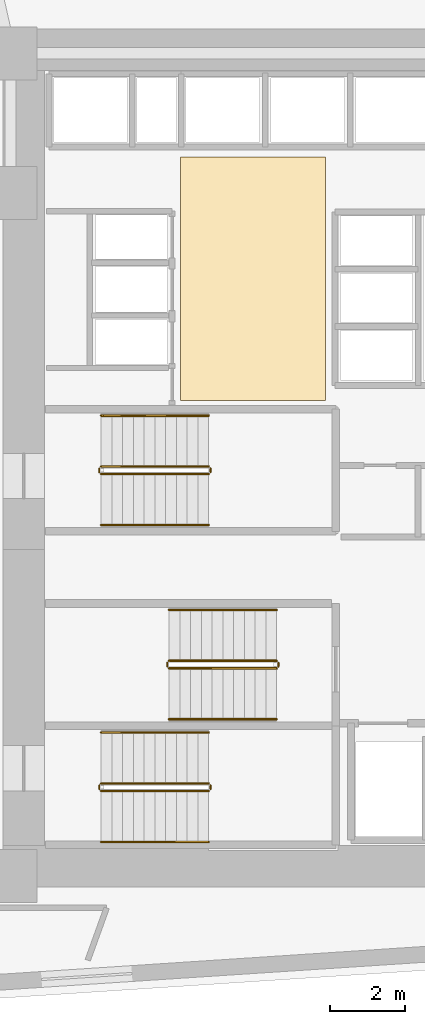
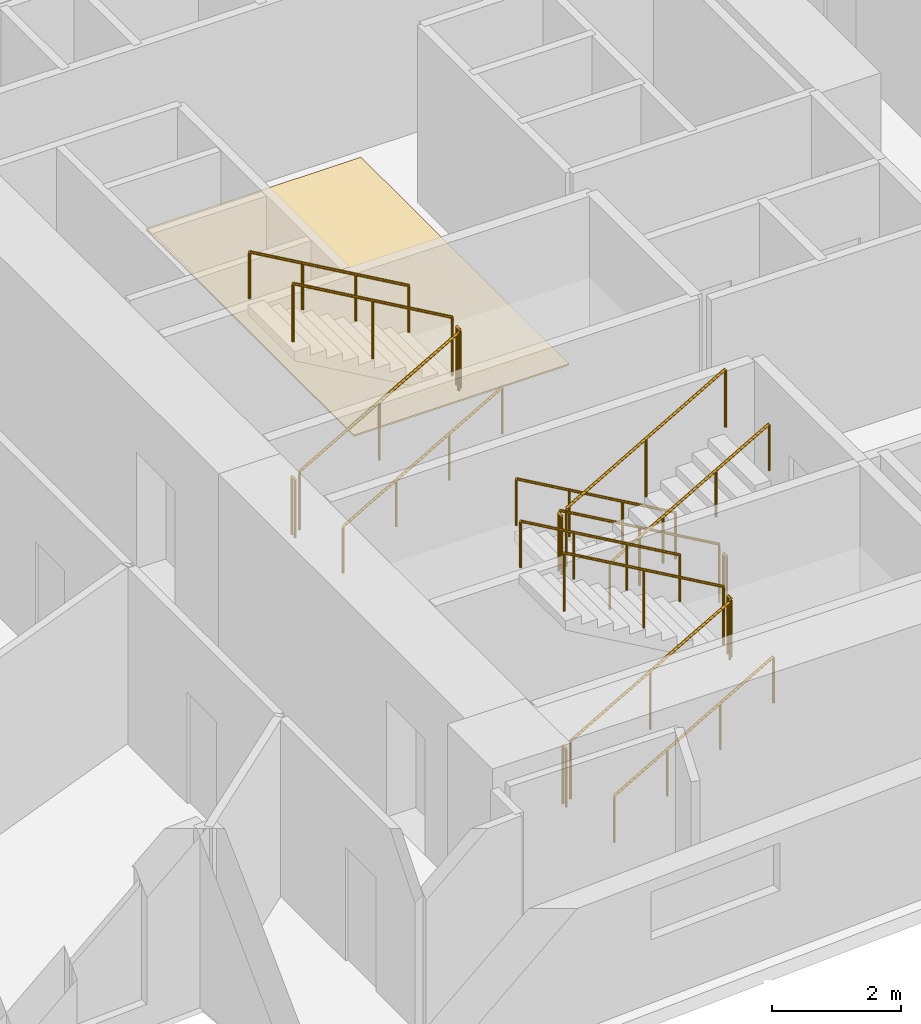
# One storey, part 15 of 16: 18 railings, 1 covering.
"""IFC4 building model written with IfcOpenShell, lengths in metres."""

from ifc_helpers import new_model, si_unit, direction, frame, origin, origin_2d, place, context, subcontext, project, spatial, polyline, circle, outline, extrude, material, layer, layer_set, type_object, element, save


model = new_model("IFC4")

# Units and contexts
model_context = context("Model", 3, precision=1e-05, world=origin(), true_north=direction((0.0, 1.0)))
body_context = subcontext(model_context, "Body", "Model", "MODEL_VIEW")
ifc_project = project(units=[si_unit("LENGTHUNIT", "METRE"), si_unit("AREAUNIT", "SQUARE_METRE"), si_unit("VOLUMEUNIT", "CUBIC_METRE"), si_unit("PLANEANGLEUNIT", "RADIAN"), si_unit("MASSUNIT", "GRAM", prefix="KILO")], contexts=[model_context])

# Site, building, storey
site_placement = place(None, origin())
site = spatial("IfcSite", under=ifc_project, at=site_placement, CompositionType="ELEMENT")
building_placement = place(site_placement, origin())
building = spatial("IfcBuilding", under=site, at=building_placement, Name="Narakoshi Arena Tower", CompositionType="ELEMENT")
storey_placement = place(building_placement, frame((0.0, 0.0, 66.89990234375)))
storey = spatial("IfcBuildingStorey", under=building, at=storey_placement, Name="L17", CompositionType="ELEMENT", Elevation=66.89990234375)

# Covering
ifc_material_1 = material(Name="Honed granite stone paving", Category="masonry")
ifc_layer = layer(ifc_material_1, 0.030029296875)
ifc_layer_set = layer_set([ifc_layer], Name="Honed granite stone paving")
covering_type = type_object("IfcCoveringType", Name="COV-FLR-ST30", PredefinedType="FLOORING", material=ifc_layer_set)
covering_placement = place(storey_placement, origin())
element("IfcCovering", 1, at=covering_placement, inside=storey, type_object=covering_type, Name="L17 Lift Lobby Granite Flooring", PredefinedType="FLOORING", context=body_context, shape_type="SweptSolid", body=[
    extrude(outline(polyline([(76.5, 47.300048828125), (80.35009765625, 47.300048828125), (80.35009765625, 53.75), (76.5, 53.75), (76.5, 47.300048828125)])), origin(), (0.0, 0.0, 1.0), 0.030029296875),
])

# Railings
ifc_material_2 = material(Name="Clear low-iron laminated structural glass", Category="glass")
railing_type_1 = type_object("IfcRailingType", Name="RL-BAL-1100", PredefinedType="BALUSTRADE", material=ifc_material_2)
railing_1_placement = place(storey_placement, frame((74.39990234375, 36.949951171875, 0.163818359375)))
element("IfcRailing", 2, at=railing_1_placement, inside=storey, type_object=railing_type_1, Name="L17 ST1 stair guard 1", PredefinedType="BALUSTRADE", context=body_context, shape_type="SweptSolid", body=[
    extrude(circle(Radius=0.02392578125, at=origin_2d()), frame((0.0, 0.0, 1.09619140625), z_axis=(0.867244780686, 0.0, 0.497882004468), x_axis=(0.0, 1.0, 0.0)), (0.0, 0.0, 1.0), 3.286376953125),
    extrude(circle(Radius=0.02099609375, at=origin_2d()), origin(), (0.0, 0.0, 1.0), 1.072021484375),
    extrude(circle(Radius=0.02099609375, at=origin_2d()), frame((1.425048828125, 0.0, 0.818115234375)), (0.0, 0.0, 1.0), 1.072021484375),
    extrude(circle(Radius=0.02099609375, at=origin_2d()), frame((2.85009765625, 0.0, 1.63623046875)), (0.0, 0.0, 1.0), 1.072021484375),
])
railing_2_placement = place(storey_placement, frame((77.300048828125, 37.0, 1.800048828125)))
element("IfcRailing", 3, at=railing_2_placement, inside=storey, type_object=railing_type_1, Name="L17 ST1 stair guard 2", PredefinedType="BALUSTRADE", context=body_context, shape_type="SweptSolid", body=[
    extrude(circle(Radius=0.02392578125, at=origin_2d()), frame((0.0, 0.0, 1.09619140625), z_axis=(0.0, 1.0, 0.0), x_axis=(-1.0, 0.0, 0.0)), (0.0, 0.0, 1.0), 0.10009765625),
    extrude(circle(Radius=0.02099609375, at=origin_2d()), origin(), (0.0, 0.0, 1.0), 1.072021484375),
    extrude(circle(Radius=0.02099609375, at=origin_2d()), frame((0.0, 0.10009765625, 0.0)), (0.0, 0.0, 1.0), 1.072021484375),
])
railing_3_placement = place(storey_placement, frame((77.25, 37.14990234375, 1.963623046875)))
element("IfcRailing", 4, at=railing_3_placement, inside=storey, type_object=railing_type_1, Name="L17 ST1 stair guard 3", PredefinedType="BALUSTRADE", context=body_context, shape_type="SweptSolid", body=[
    extrude(circle(Radius=0.02392578125, at=origin_2d()), frame((0.0, 0.0, 1.09619140625), z_axis=(-0.86721270334, 0.0, 0.497937874806), x_axis=(0.0, -1.0, 0.0)), (0.0, 0.0, 1.0), 3.28662109375),
    extrude(circle(Radius=0.02099609375, at=origin_2d()), origin(), (0.0, 0.0, 1.0), 1.072021484375),
    extrude(circle(Radius=0.02099609375, at=origin_2d()), frame((-1.425048828125, 0.0, 0.818359375)), (0.0, 0.0, 1.0), 1.072021484375),
    extrude(circle(Radius=0.02099609375, at=origin_2d()), frame((-2.85009765625, 0.0, 1.636474609375)), (0.0, 0.0, 1.0), 1.072021484375),
])
railing_4_placement = place(storey_placement, frame((74.35009765625, 37.0, 0.0)))
element("IfcRailing", 5, at=railing_4_placement, inside=storey, type_object=railing_type_1, Name="L17 ST1 stair guard 4", PredefinedType="BALUSTRADE", context=body_context, shape_type="SweptSolid", body=[
    extrude(circle(Radius=0.02392578125, at=origin_2d()), frame((0.0, 0.0, 1.09619140625), z_axis=(0.0, 1.0, 0.0), x_axis=(-1.0, 0.0, 0.0)), (0.0, 0.0, 1.0), 0.10009765625),
    extrude(circle(Radius=0.02099609375, at=origin_2d()), origin(), (0.0, 0.0, 1.0), 1.072021484375),
    extrude(circle(Radius=0.02099609375, at=origin_2d()), frame((0.0, 0.10009765625, 0.0)), (0.0, 0.0, 1.0), 1.072021484375),
])
railing_5_placement = place(storey_placement, frame((79.050048828125, 40.39990234375, 0.163818359375)))
element("IfcRailing", 6, at=railing_5_placement, inside=storey, type_object=railing_type_1, Name="L17 ST2 stair guard 1", PredefinedType="BALUSTRADE", context=body_context, shape_type="SweptSolid", body=[
    extrude(circle(Radius=0.02392578125, at=origin_2d()), frame((0.0, 0.0, 1.09619140625), z_axis=(-0.867244780686, 0.0, 0.497882004468), x_axis=(0.0, -1.0, 0.0)), (0.0, 0.0, 1.0), 3.286376953125),
    extrude(circle(Radius=0.02099609375, at=origin_2d()), origin(), (0.0, 0.0, 1.0), 1.072021484375),
    extrude(circle(Radius=0.02099609375, at=origin_2d()), frame((-1.425048828125, 0.0, 0.818115234375)), (0.0, 0.0, 1.0), 1.072021484375),
    extrude(circle(Radius=0.02099609375, at=origin_2d()), frame((-2.85009765625, 0.0, 1.63623046875)), (0.0, 0.0, 1.0), 1.072021484375),
])
railing_6_placement = place(storey_placement, frame((76.14990234375, 40.35009765625, 1.800048828125)))
element("IfcRailing", 7, at=railing_6_placement, inside=storey, type_object=railing_type_1, Name="L17 ST2 stair guard 2", PredefinedType="BALUSTRADE", context=body_context, shape_type="SweptSolid", body=[
    extrude(circle(Radius=0.02392578125, at=origin_2d()), frame((0.0, 0.0, 1.09619140625), z_axis=(0.0, -1.0, 0.0), x_axis=(1.0, 0.0, 0.0)), (0.0, 0.0, 1.0), 0.10009765625),
    extrude(circle(Radius=0.02099609375, at=origin_2d()), origin(), (0.0, 0.0, 1.0), 1.072021484375),
    extrude(circle(Radius=0.02099609375, at=origin_2d()), frame((0.0, -0.10009765625, 0.0)), (0.0, 0.0, 1.0), 1.072021484375),
])
railing_7_placement = place(storey_placement, frame((76.199951171875, 40.199951171875, 1.963623046875)))
element("IfcRailing", 8, at=railing_7_placement, inside=storey, type_object=railing_type_1, Name="L17 ST2 stair guard 3", PredefinedType="BALUSTRADE", context=body_context, shape_type="SweptSolid", body=[
    extrude(circle(Radius=0.02392578125, at=origin_2d()), frame((0.0, 0.0, 1.09619140625), z_axis=(0.86721270334, 0.0, 0.497937874806), x_axis=(0.0, 1.0, 0.0)), (0.0, 0.0, 1.0), 3.28662109375),
    extrude(circle(Radius=0.02099609375, at=origin_2d()), origin(), (0.0, 0.0, 1.0), 1.072021484375),
    extrude(circle(Radius=0.02099609375, at=origin_2d()), frame((1.425048828125, 0.0, 0.818359375)), (0.0, 0.0, 1.0), 1.072021484375),
    extrude(circle(Radius=0.02099609375, at=origin_2d()), frame((2.85009765625, 0.0, 1.636474609375)), (0.0, 0.0, 1.0), 1.072021484375),
])
railing_8_placement = place(storey_placement, frame((79.10009765625, 40.35009765625, 0.0)))
element("IfcRailing", 9, at=railing_8_placement, inside=storey, type_object=railing_type_1, Name="L17 ST2 stair guard 4", PredefinedType="BALUSTRADE", context=body_context, shape_type="SweptSolid", body=[
    extrude(circle(Radius=0.02392578125, at=origin_2d()), frame((0.0, 0.0, 1.09619140625), z_axis=(0.0, -1.0, 0.0), x_axis=(1.0, 0.0, 0.0)), (0.0, 0.0, 1.0), 0.10009765625),
    extrude(circle(Radius=0.02099609375, at=origin_2d()), origin(), (0.0, 0.0, 1.0), 1.072021484375),
    extrude(circle(Radius=0.02099609375, at=origin_2d()), frame((0.0, -0.10009765625, 0.0)), (0.0, 0.0, 1.0), 1.072021484375),
])
railing_9_placement = place(storey_placement, frame((74.39990234375, 45.35009765625, 0.163818359375)))
element("IfcRailing", 10, at=railing_9_placement, inside=storey, type_object=railing_type_1, Name="L17 ST3 stair guard 1", PredefinedType="BALUSTRADE", context=body_context, shape_type="SweptSolid", body=[
    extrude(circle(Radius=0.02392578125, at=origin_2d()), frame((0.0, 0.0, 1.09619140625), z_axis=(0.867244780686, 0.0, 0.497882004468), x_axis=(0.0, 1.0, 0.0)), (0.0, 0.0, 1.0), 3.286376953125),
    extrude(circle(Radius=0.02099609375, at=origin_2d()), origin(), (0.0, 0.0, 1.0), 1.072021484375),
    extrude(circle(Radius=0.02099609375, at=origin_2d()), frame((1.425048828125, 0.0, 0.818115234375)), (0.0, 0.0, 1.0), 1.072021484375),
    extrude(circle(Radius=0.02099609375, at=origin_2d()), frame((2.85009765625, 0.0, 1.63623046875)), (0.0, 0.0, 1.0), 1.072021484375),
])
railing_10_placement = place(storey_placement, frame((77.300048828125, 45.39990234375, 1.800048828125)))
element("IfcRailing", 11, at=railing_10_placement, inside=storey, type_object=railing_type_1, Name="L17 ST3 stair guard 2", PredefinedType="BALUSTRADE", context=body_context, shape_type="SweptSolid", body=[
    extrude(circle(Radius=0.02392578125, at=origin_2d()), frame((0.0, 0.0, 1.09619140625), z_axis=(0.0, 1.0, 0.0), x_axis=(-1.0, 0.0, 0.0)), (0.0, 0.0, 1.0), 0.10009765625),
    extrude(circle(Radius=0.02099609375, at=origin_2d()), origin(), (0.0, 0.0, 1.0), 1.072021484375),
    extrude(circle(Radius=0.02099609375, at=origin_2d()), frame((0.0, 0.10009765625, 0.0)), (0.0, 0.0, 1.0), 1.072021484375),
])
railing_11_placement = place(storey_placement, frame((77.25, 45.550048828125, 1.963623046875)))
element("IfcRailing", 12, at=railing_11_placement, inside=storey, type_object=railing_type_1, Name="L17 ST3 stair guard 3", PredefinedType="BALUSTRADE", context=body_context, shape_type="SweptSolid", body=[
    extrude(circle(Radius=0.02392578125, at=origin_2d()), frame((0.0, 0.0, 1.09619140625), z_axis=(-0.86721270334, 0.0, 0.497937874806), x_axis=(0.0, -1.0, 0.0)), (0.0, 0.0, 1.0), 3.28662109375),
    extrude(circle(Radius=0.02099609375, at=origin_2d()), origin(), (0.0, 0.0, 1.0), 1.072021484375),
    extrude(circle(Radius=0.02099609375, at=origin_2d()), frame((-1.425048828125, 0.0, 0.818359375)), (0.0, 0.0, 1.0), 1.072021484375),
    extrude(circle(Radius=0.02099609375, at=origin_2d()), frame((-2.85009765625, 0.0, 1.636474609375)), (0.0, 0.0, 1.0), 1.072021484375),
])
railing_12_placement = place(storey_placement, frame((74.35009765625, 45.39990234375, 0.0)))
element("IfcRailing", 13, at=railing_12_placement, inside=storey, type_object=railing_type_1, Name="L17 ST3 stair guard 4", PredefinedType="BALUSTRADE", context=body_context, shape_type="SweptSolid", body=[
    extrude(circle(Radius=0.02392578125, at=origin_2d()), frame((0.0, 0.0, 1.09619140625), z_axis=(0.0, 1.0, 0.0), x_axis=(-1.0, 0.0, 0.0)), (0.0, 0.0, 1.0), 0.10009765625),
    extrude(circle(Radius=0.02099609375, at=origin_2d()), origin(), (0.0, 0.0, 1.0), 1.072021484375),
    extrude(circle(Radius=0.02099609375, at=origin_2d()), frame((0.0, 0.10009765625, 0.0)), (0.0, 0.0, 1.0), 1.072021484375),
])
ifc_material_3 = material(Name="Brushed bronze stainless steel", Category="steel")
railing_type_2 = type_object("IfcRailingType", Name="RL-HND-900", PredefinedType="HANDRAIL", material=ifc_material_3)
railing_13_placement = place(storey_placement, frame((74.39990234375, 35.60009765625, 0.163818359375)))
element("IfcRailing", 14, at=railing_13_placement, inside=storey, type_object=railing_type_2, Name="L17 ST1 stair handrail 1", PredefinedType="HANDRAIL", context=body_context, shape_type="SweptSolid", body=[
    extrude(circle(Radius=0.02392578125, at=origin_2d()), frame((0.0, 0.0, 0.8759765625), z_axis=(0.867244780686, 0.0, 0.497882004468), x_axis=(0.0, 1.0, 0.0)), (0.0, 0.0, 1.0), 3.286376953125),
    extrude(circle(Radius=0.02099609375, at=origin_2d()), origin(), (0.0, 0.0, 1.0), 0.851806640625),
    extrude(circle(Radius=0.02099609375, at=origin_2d()), frame((0.949951171875, 0.0, 0.54541015625)), (0.0, 0.0, 1.0), 0.851806640625),
    extrude(circle(Radius=0.02099609375, at=origin_2d()), frame((1.900146484375, 0.0, 1.0908203125)), (0.0, 0.0, 1.0), 0.851806640625),
    extrude(circle(Radius=0.02099609375, at=origin_2d()), frame((2.85009765625, 0.0, 1.63623046875)), (0.0, 0.0, 1.0), 0.851806640625),
])
railing_14_placement = place(storey_placement, frame((77.25, 38.5, 1.963623046875)))
element("IfcRailing", 15, at=railing_14_placement, inside=storey, type_object=railing_type_2, Name="L17 ST1 stair handrail 2", PredefinedType="HANDRAIL", context=body_context, shape_type="SweptSolid", body=[
    extrude(circle(Radius=0.02392578125, at=origin_2d()), frame((0.0, 0.0, 0.8759765625), z_axis=(-0.86721270334, 0.0, 0.497937874806), x_axis=(0.0, -1.0, 0.0)), (0.0, 0.0, 1.0), 3.28662109375),
    extrude(circle(Radius=0.02099609375, at=origin_2d()), origin(), (0.0, 0.0, 1.0), 0.851806640625),
    extrude(circle(Radius=0.02099609375, at=origin_2d()), frame((-0.949951171875, 0.0, 0.54541015625)), (0.0, 0.0, 1.0), 0.851806640625),
    extrude(circle(Radius=0.02099609375, at=origin_2d()), frame((-1.900146484375, 0.0, 1.091064453125)), (0.0, 0.0, 1.0), 0.851806640625),
    extrude(circle(Radius=0.02099609375, at=origin_2d()), frame((-2.85009765625, 0.0, 1.636474609375)), (0.0, 0.0, 1.0), 0.851806640625),
])
railing_15_placement = place(storey_placement, frame((79.050048828125, 41.75, 0.163818359375)))
element("IfcRailing", 16, at=railing_15_placement, inside=storey, type_object=railing_type_2, Name="L17 ST2 stair handrail 1", PredefinedType="HANDRAIL", context=body_context, shape_type="SweptSolid", body=[
    extrude(circle(Radius=0.02392578125, at=origin_2d()), frame((0.0, 0.0, 0.8759765625), z_axis=(-0.867244780686, 0.0, 0.497882004468), x_axis=(0.0, -1.0, 0.0)), (0.0, 0.0, 1.0), 3.286376953125),
    extrude(circle(Radius=0.02099609375, at=origin_2d()), origin(), (0.0, 0.0, 1.0), 0.851806640625),
    extrude(circle(Radius=0.02099609375, at=origin_2d()), frame((-0.949951171875, 0.0, 0.54541015625)), (0.0, 0.0, 1.0), 0.851806640625),
    extrude(circle(Radius=0.02099609375, at=origin_2d()), frame((-1.900146484375, 0.0, 1.0908203125)), (0.0, 0.0, 1.0), 0.851806640625),
    extrude(circle(Radius=0.02099609375, at=origin_2d()), frame((-2.85009765625, 0.0, 1.63623046875)), (0.0, 0.0, 1.0), 0.851806640625),
])
railing_16_placement = place(storey_placement, frame((76.199951171875, 38.85009765625, 1.963623046875)))
element("IfcRailing", 17, at=railing_16_placement, inside=storey, type_object=railing_type_2, Name="L17 ST2 stair handrail 2", PredefinedType="HANDRAIL", context=body_context, shape_type="SweptSolid", body=[
    extrude(circle(Radius=0.02392578125, at=origin_2d()), frame((0.0, 0.0, 0.8759765625), z_axis=(0.86721270334, 0.0, 0.497937874806), x_axis=(0.0, 1.0, 0.0)), (0.0, 0.0, 1.0), 3.28662109375),
    extrude(circle(Radius=0.02099609375, at=origin_2d()), origin(), (0.0, 0.0, 1.0), 0.851806640625),
    extrude(circle(Radius=0.02099609375, at=origin_2d()), frame((0.949951171875, 0.0, 0.54541015625)), (0.0, 0.0, 1.0), 0.851806640625),
    extrude(circle(Radius=0.02099609375, at=origin_2d()), frame((1.900146484375, 0.0, 1.091064453125)), (0.0, 0.0, 1.0), 0.851806640625),
    extrude(circle(Radius=0.02099609375, at=origin_2d()), frame((2.85009765625, 0.0, 1.636474609375)), (0.0, 0.0, 1.0), 0.851806640625),
])
railing_17_placement = place(storey_placement, frame((74.39990234375, 44.0, 0.163818359375)))
element("IfcRailing", 18, at=railing_17_placement, inside=storey, type_object=railing_type_2, Name="L17 ST3 stair handrail 1", PredefinedType="HANDRAIL", context=body_context, shape_type="SweptSolid", body=[
    extrude(circle(Radius=0.02392578125, at=origin_2d()), frame((0.0, 0.0, 0.8759765625), z_axis=(0.867244780686, 0.0, 0.497882004468), x_axis=(0.0, 1.0, 0.0)), (0.0, 0.0, 1.0), 3.286376953125),
    extrude(circle(Radius=0.02099609375, at=origin_2d()), origin(), (0.0, 0.0, 1.0), 0.851806640625),
    extrude(circle(Radius=0.02099609375, at=origin_2d()), frame((0.949951171875, 0.0, 0.54541015625)), (0.0, 0.0, 1.0), 0.851806640625),
    extrude(circle(Radius=0.02099609375, at=origin_2d()), frame((1.900146484375, 0.0, 1.0908203125)), (0.0, 0.0, 1.0), 0.851806640625),
    extrude(circle(Radius=0.02099609375, at=origin_2d()), frame((2.85009765625, 0.0, 1.63623046875)), (0.0, 0.0, 1.0), 0.851806640625),
])
railing_18_placement = place(storey_placement, frame((77.25, 46.89990234375, 1.963623046875)))
element("IfcRailing", 19, at=railing_18_placement, inside=storey, type_object=railing_type_2, Name="L17 ST3 stair handrail 2", PredefinedType="HANDRAIL", context=body_context, shape_type="SweptSolid", body=[
    extrude(circle(Radius=0.02392578125, at=origin_2d()), frame((0.0, 0.0, 0.8759765625), z_axis=(-0.86721270334, 0.0, 0.497937874806), x_axis=(0.0, -1.0, 0.0)), (0.0, 0.0, 1.0), 3.28662109375),
    extrude(circle(Radius=0.02099609375, at=origin_2d()), origin(), (0.0, 0.0, 1.0), 0.851806640625),
    extrude(circle(Radius=0.02099609375, at=origin_2d()), frame((-0.949951171875, 0.0, 0.54541015625)), (0.0, 0.0, 1.0), 0.851806640625),
    extrude(circle(Radius=0.02099609375, at=origin_2d()), frame((-1.900146484375, 0.0, 1.091064453125)), (0.0, 0.0, 1.0), 0.851806640625),
    extrude(circle(Radius=0.02099609375, at=origin_2d()), frame((-2.85009765625, 0.0, 1.636474609375)), (0.0, 0.0, 1.0), 0.851806640625),
])

save(model, "model.ifc")
